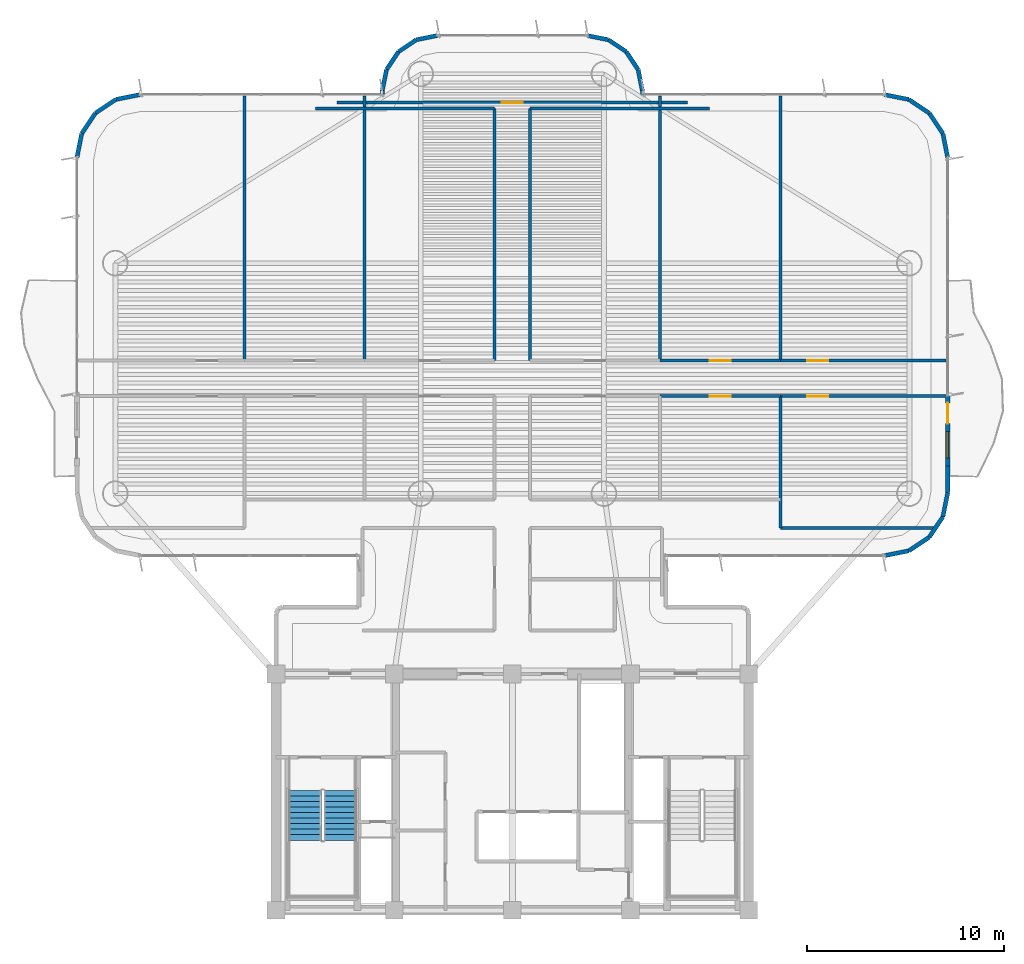
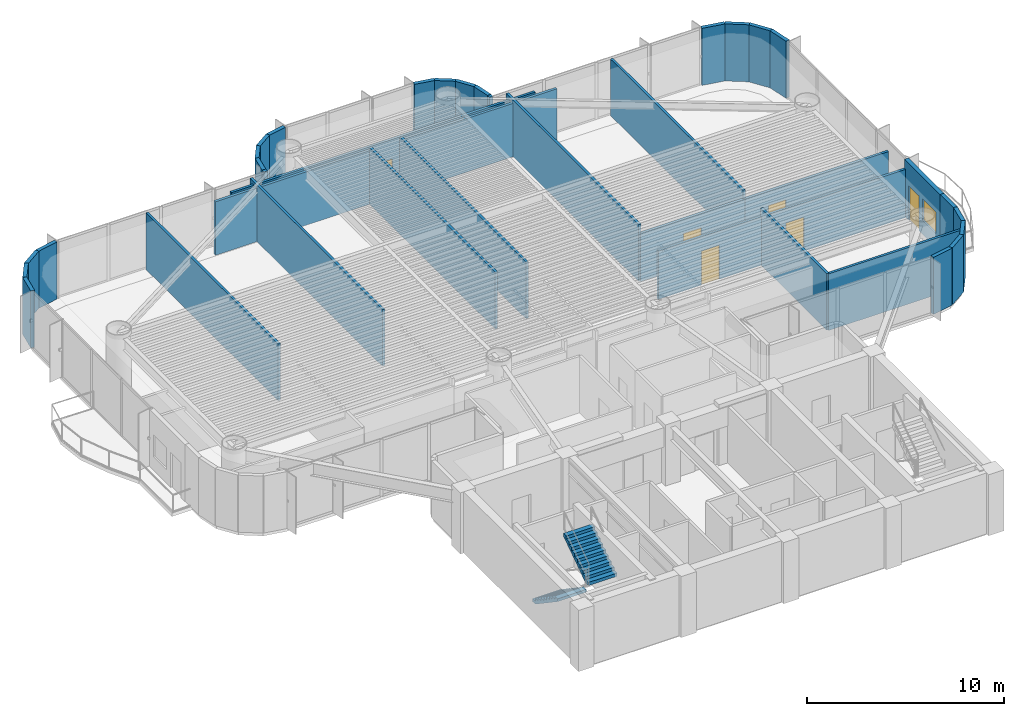
# One storey, part 11 of 16: 39 walls, 6 doors, 2 stair flights, 1 window, 7 openings, 1 element without a shape of its own.
"""IFC4 building model written with IfcOpenShell, lengths in metres."""

from ifc_helpers import new_model, si_unit, direction, frame, frame_2d, origin, origin_2d, place, context, subcontext, project, spatial, polyline, rectangle, outline, extrude, source, transform, mapped, material, layer, layer_set, type_object, element, fill, aggregate, save


model = new_model("IFC4")

# Units and contexts
model_context = context("Model", 3, precision=1e-05, world=origin(), true_north=direction((0.0, 1.0)))
body_context = subcontext(model_context, "Body", "Model", "MODEL_VIEW")
ifc_project = project(units=[si_unit("LENGTHUNIT", "METRE"), si_unit("AREAUNIT", "SQUARE_METRE"), si_unit("VOLUMEUNIT", "CUBIC_METRE"), si_unit("PLANEANGLEUNIT", "RADIAN"), si_unit("MASSUNIT", "GRAM", prefix="KILO")], contexts=[model_context])

# Site, building, storey
site_placement = place(None, origin())
site = spatial("IfcSite", under=ifc_project, at=site_placement, CompositionType="ELEMENT")
building_placement = place(site_placement, origin())
building = spatial("IfcBuilding", under=site, at=building_placement, Name="Brelvock Crest Care Tower", CompositionType="ELEMENT")
storey_placement = place(building_placement, frame((0.0, 0.0, 112.5)))
storey = spatial("IfcBuildingStorey", under=building, at=storey_placement, Name="L28", CompositionType="ELEMENT", Elevation=112.5)

# Wall, openings, door, window
ifc_material_1 = material(Name="Precast concrete N40 (40 MPa)", Category="concrete")
ifc_layer_1 = layer(ifc_material_1, 0.239990234375, Name="WL-EX1")
ifc_layer_set_1 = layer_set([ifc_layer_1], Name="Precast concrete N40 (40 MPa)")
wall_type_1 = type_object("IfcWallType", Name="WL-EX1", PredefinedType="SOLIDWALL", material=ifc_layer_set_1)
wall_1_placement = place(storey_placement, frame((58.10009765625, 32.14990234375, 0.0), z_axis=(0.0, 0.0, 1.0), x_axis=(0.0, -1.0, 0.0)))
wall_1 = element("IfcWall", 1, at=wall_1_placement, inside=storey, type_object=wall_type_1, Name="L28 Exterior Spandrel Wall WL-BAL-L28-E", PredefinedType="SOLIDWALL", context=body_context, shape_type="SweptSolid", body=[
    extrude(rectangle(XDim=3.599853515625, YDim=0.239990234375, at=frame_2d((1.7998046875, 0.0))), origin(), (0.0, 0.0, 1.0), 3.530029296875),
])
opening_1_placement = place(wall_1_placement, frame((0.39990234375, 0.0, 0.0)))
opening_1 = element("IfcOpeningElement", 2, at=opening_1_placement, cuts=wall_1, Name="Opening BD-1", PredefinedType="OPENING", context=body_context, shape_type="SweptSolid", body=[
    extrude(rectangle(XDim=1.050048828125, YDim=2.14990234375, at=origin_2d()), frame((0.52490234375, 0.1298828125, 1.074951171875), z_axis=(0.0, -1.0, 0.0), x_axis=(1.0, 0.0, 0.0)), (0.0, 0.0, 1.0), 0.260009765625),
])
opening_2_placement = place(wall_1_placement, frame((1.85009765625, 0.0, 0.85009765625)))
opening_2 = element("IfcOpeningElement", 3, at=opening_2_placement, cuts=wall_1, Name="Opening W-01", PredefinedType="OPENING", context=body_context, shape_type="SweptSolid", body=[
    extrude(rectangle(XDim=1.35009765625, YDim=1.35009765625, at=origin_2d()), frame((0.675048828125, 0.1298828125, 0.675048828125), z_axis=(0.0, -1.0, 0.0), x_axis=(1.0, 0.0, 0.0)), (0.0, 0.0, 1.0), 0.260009765625),
])
ifc_material_2 = material(Name="Dark Glass Double Glazed Low-E", Category="glass")
door_type_1 = type_object("IfcDoorType", Name="DR-BAL1", OperationType="NOTDEFINED", PredefinedType="DOOR", material=ifc_material_2)
shared_shape_1 = source(origin(), body_context, "Body", "SweptSolid", [
    extrude(rectangle(XDim=1.050048828125, YDim=2.14990234375, at=origin_2d()), frame((0.52490234375, 0.02490234375, 1.074951171875), z_axis=(0.0, -1.0, 0.0), x_axis=(1.0, 0.0, 0.0)), (0.0, 0.0, 1.0), 0.050048828125),
])
door_1_placement = place(opening_1_placement, origin())
door_1 = element("IfcDoor", 4, at=door_1_placement, inside=storey, type_object=door_type_1, Name="L28 E Wave Balcony Glazed Door", OperationType="SINGLE_SWING_RIGHT", OverallHeight=2.14990234375, OverallWidth=1.050048828125, PredefinedType="DOOR", context=body_context, shape_type="MappedRepresentation", body=[
    mapped(shared_shape_1, transform((0.0, 0.0, 0.0), x_axis=(1.0, 0.0, 0.0), y_axis=(0.0, 1.0, 0.0), z_axis=(0.0, 0.0, 1.0), scale=1.0)),
])
fill(opening_1, door_1)
window_type = type_object("IfcWindowType", Name="WN-EX1", PartitioningType="SINGLE_PANEL", PredefinedType="WINDOW", material=ifc_material_2)
shared_shape_2 = source(origin(), body_context, "Body", "SweptSolid", [
    extrude(rectangle(XDim=1.35009765625, YDim=1.35009765625, at=origin_2d()), frame((0.675048828125, 0.030029296875, 0.675048828125), z_axis=(0.0, -1.0, 0.0), x_axis=(1.0, 0.0, 0.0)), (0.0, 0.0, 1.0), 0.06005859375),
])
window_placement = place(opening_2_placement, origin())
window = element("IfcWindow", 5, at=window_placement, inside=storey, type_object=window_type, Name="L28 E Suite Casement Window", OverallHeight=1.35009765625, OverallWidth=1.35009765625, PartitioningType="SINGLE_PANEL", PredefinedType="WINDOW", context=body_context, shape_type="MappedRepresentation", body=[
    mapped(shared_shape_2, transform((0.0, 0.0, 0.0), x_axis=(1.0, 0.0, 0.0), y_axis=(0.0, 1.0, 0.0), z_axis=(0.0, 0.0, 1.0), scale=1.0)),
])
fill(opening_2, window)

# Walls
ifc_layer_2 = layer(ifc_material_1, 0.215087890625, Name="WL-EX2")
ifc_layer_set_2 = layer_set([ifc_layer_2], Name="Precast concrete N40 (40 MPa)")
wall_type_2 = type_object("IfcWallType", Name="WL-EX2", PredefinedType="SOLIDWALL", material=ifc_layer_set_2)
for number, where, z_axis, x_axis, name in (
    (6, (13.89990234375, 44.199951171875, 0.0), (0.0, 0.0, 1.0), (0.195138390419, 0.980775717779, 0.0), "L28 Rounded Corner Wall 18"),
    (7, (14.1435546875, 45.424560546875, 0.0), (0.0, 0.0, 1.0), (0.555692485475, 0.831387912822, 0.0), "L28 Rounded Corner Wall 19"),
    (8, (14.83740234375, 46.462646484375, 0.0), (0.0, 0.0, 1.0), (0.831387912822, 0.555692485475, 0.0), "L28 Rounded Corner Wall 20"),
    (9, (15.87548828125, 47.156494140625, 0.0), (0.0, 0.0, 1.0), (0.980813122964, 0.194950295773, 0.0), "L28 Rounded Corner Wall 21"),
):
    element("IfcWall", number, at=place(storey_placement, frame(where, z_axis=z_axis, x_axis=x_axis)), inside=storey, type_object=wall_type_2, Name=name, PredefinedType="SOLIDWALL", context=body_context, shape_type="SweptSolid", body=[
        extrude(rectangle(XDim=1.24853515625, YDim=0.215087890625, at=frame_2d((0.624267578125, 0.0))), origin(), (0.0, 0.0, 1.0), 3.530029296875),
    ])
wall_2_placement = place(storey_placement, frame((29.39990234375, 47.39990234375, 0.0), z_axis=(0.0, 0.0, 1.0), x_axis=(0.0, 1.0, 0.0)))
element("IfcWall", 10, at=wall_2_placement, inside=storey, type_object=wall_type_2, Name="L28 Rounded Corner Wall 23", PredefinedType="SOLIDWALL", context=body_context, shape_type="SweptSolid", body=[
    extrude(rectangle(XDim=0.2001953125, YDim=0.215087890625, at=frame_2d((0.10009765625, 0.0))), origin(), (0.0, 0.0, 1.0), 3.530029296875),
])
wall_3_placement = place(storey_placement, frame((29.39990234375, 47.60009765625, 0.0), z_axis=(0.0, 0.0, 1.0), x_axis=(0.195127417394, 0.980777900945, 0.0)))
element("IfcWall", 11, at=wall_3_placement, inside=storey, type_object=wall_type_2, Name="L28 Rounded Corner Wall 24", PredefinedType="SOLIDWALL", context=body_context, shape_type="SweptSolid", body=[
    extrude(rectangle(XDim=1.09228515625, YDim=0.215087890625, at=frame_2d((0.546142578125, 0.0))), origin(), (0.0, 0.0, 1.0), 3.530029296875),
])
wall_4_placement = place(storey_placement, frame((29.613037109375, 48.67138671875, 0.0), z_axis=(0.0, 0.0, 1.0), x_axis=(0.555679482341, 0.831396603857, 0.0)))
element("IfcWall", 12, at=wall_4_placement, inside=storey, type_object=wall_type_2, Name="L28 Rounded Corner Wall 25", PredefinedType="SOLIDWALL", context=body_context, shape_type="SweptSolid", body=[
    extrude(rectangle(XDim=1.0927734375, YDim=0.215087890625, at=frame_2d((0.54638671875, 0.0))), origin(), (0.0, 0.0, 1.0), 3.530029296875),
])
for number, where, z_axis, x_axis, name in (
    (13, (30.22021484375, 49.579833984375, 0.0), (0.0, 0.0, 1.0), (0.831327592857, 0.555782721353, 0.0), "L28 Rounded Corner Wall 26"),
    (14, (31.12841796875, 50.18701171875, 0.0), (0.0, 0.0, 1.0), (0.980829143587, 0.194869677195, 0.0), "L28 Rounded Corner Wall 27"),
    (15, (39.800048828125, 50.39990234375, 0.0), (0.0, 0.0, 1.0), (0.980829143587, -0.194869677195, 0.0), "L28 Rounded Corner Wall 29"),
    (16, (40.87158203125, 50.18701171875, 0.0), (0.0, 0.0, 1.0), (0.831327592857, -0.555782721353, 0.0), "L28 Rounded Corner Wall 30"),
):
    element("IfcWall", number, at=place(storey_placement, frame(where, z_axis=z_axis, x_axis=x_axis)), inside=storey, type_object=wall_type_2, Name=name, PredefinedType="SOLIDWALL", context=body_context, shape_type="SweptSolid", body=[
        extrude(rectangle(XDim=1.092529296875, YDim=0.215087890625, at=frame_2d((0.54638671875, 0.0))), origin(), (0.0, 0.0, 1.0), 3.530029296875),
    ])
wall_5_placement = place(storey_placement, frame((41.77978515625, 49.579833984375, 0.0), z_axis=(0.0, 0.0, 1.0), x_axis=(0.555679482341, -0.831396603857, 0.0)))
element("IfcWall", 17, at=wall_5_placement, inside=storey, type_object=wall_type_2, Name="L28 Rounded Corner Wall 31", PredefinedType="SOLIDWALL", context=body_context, shape_type="SweptSolid", body=[
    extrude(rectangle(XDim=1.0927734375, YDim=0.215087890625, at=frame_2d((0.54638671875, 0.0))), origin(), (0.0, 0.0, 1.0), 3.530029296875),
])
wall_6_placement = place(storey_placement, frame((42.386962890625, 48.67138671875, 0.0), z_axis=(0.0, 0.0, 1.0), x_axis=(0.195127417394, -0.980777900945, 0.0)))
element("IfcWall", 18, at=wall_6_placement, inside=storey, type_object=wall_type_2, Name="L28 Rounded Corner Wall 32", PredefinedType="SOLIDWALL", context=body_context, shape_type="SweptSolid", body=[
    extrude(rectangle(XDim=1.09228515625, YDim=0.215087890625, at=frame_2d((0.546142578125, 0.0))), origin(), (0.0, 0.0, 1.0), 3.530029296875),
])
wall_7_placement = place(storey_placement, frame((42.60009765625, 47.60009765625, 0.0), z_axis=(0.0, 0.0, 1.0), x_axis=(0.0, -1.0, 0.0)))
element("IfcWall", 19, at=wall_7_placement, inside=storey, type_object=wall_type_2, Name="L28 Rounded Corner Wall 33", PredefinedType="SOLIDWALL", context=body_context, shape_type="SweptSolid", body=[
    extrude(rectangle(XDim=0.2001953125, YDim=0.215087890625, at=frame_2d((0.10009765625, 0.0))), origin(), (0.0, 0.0, 1.0), 3.530029296875),
])
for number, where, z_axis, x_axis, name in (
    (20, (54.89990234375, 47.39990234375, 0.0), (0.0, 0.0, 1.0), (0.980813122964, -0.194950295773, 0.0), "L28 Rounded Corner Wall 35"),
    (21, (56.12451171875, 47.156494140625, 0.0), (0.0, 0.0, 1.0), (0.831387912822, -0.555692485475, 0.0), "L28 Rounded Corner Wall 36"),
    (22, (57.16259765625, 46.462646484375, 0.0), (0.0, 0.0, 1.0), (0.555692485475, -0.831387912822, 0.0), "L28 Rounded Corner Wall 37"),
    (23, (57.8564453125, 45.424560546875, 0.0), (0.0, 0.0, 1.0), (0.195138390419, -0.980775717779, 0.0), "L28 Rounded Corner Wall 38"),
):
    element("IfcWall", number, at=place(storey_placement, frame(where, z_axis=z_axis, x_axis=x_axis)), inside=storey, type_object=wall_type_2, Name=name, PredefinedType="SOLIDWALL", context=body_context, shape_type="SweptSolid", body=[
        extrude(rectangle(XDim=1.24853515625, YDim=0.215087890625, at=frame_2d((0.624267578125, 0.0))), origin(), (0.0, 0.0, 1.0), 3.530029296875),
    ])
wall_8_placement = place(storey_placement, frame((58.10009765625, 28.550048828125, 0.0), z_axis=(0.0, 0.0, 1.0), x_axis=(0.0, -1.0, 0.0)))
element("IfcWall", 24, at=wall_8_placement, inside=storey, type_object=wall_type_2, Name="L28 Exterior Spandrel Pier E39B", PredefinedType="SOLIDWALL", context=body_context, shape_type="SweptSolid", body=[
    extrude(rectangle(XDim=1.35009765625, YDim=0.215087890625, at=frame_2d((0.675048828125, 0.0))), origin(), (0.0, 0.0, 1.0), 3.530029296875),
])
for number, where, z_axis, x_axis, name in (
    (25, (58.10009765625, 27.199951171875, 0.0), (0.0, 0.0, 1.0), (-0.195138390419, -0.980775717779, 0.0), "L28 Rounded Corner Wall 40"),
    (26, (57.8564453125, 25.975341796875, 0.0), (0.0, 0.0, 1.0), (-0.555692485475, -0.831387912822, 0.0), "L28 Rounded Corner Wall 41"),
    (27, (57.16259765625, 24.937255859375, 0.0), (0.0, 0.0, 1.0), (-0.831478245117, -0.555557312883, 0.0), "L28 Rounded Corner Wall 42"),
    (28, (56.12451171875, 24.24365234375, 0.0), (0.0, 0.0, 1.0), (-0.980775717779, -0.195138390419, 0.0), "L28 Rounded Corner Wall 43"),
):
    element("IfcWall", number, at=place(storey_placement, frame(where, z_axis=z_axis, x_axis=x_axis)), inside=storey, type_object=wall_type_2, Name=name, PredefinedType="SOLIDWALL", context=body_context, shape_type="SweptSolid", body=[
        extrude(rectangle(XDim=1.24853515625, YDim=0.215087890625, at=frame_2d((0.624267578125, 0.0))), origin(), (0.0, 0.0, 1.0), 3.530029296875),
    ])
ifc_material_3 = material(Name="Masonry Blockwork Acoustic Partition", Category="masonry")
ifc_layer_3 = layer(ifc_material_3, 0.14990234375, Name="WL-INT1")
ifc_layer_set_3 = layer_set([ifc_layer_3], Name="Masonry Blockwork Acoustic Partition")
wall_type_3 = type_object("IfcWallType", Name="WL-INT1", PredefinedType="PARTITIONING", material=ifc_layer_set_3)
wall_9_placement = place(storey_placement, frame((49.60009765625, 25.39990234375, 0.0), z_axis=(0.0, 0.0, 1.0), x_axis=(1.0, 0.0, 0.0)))
element("IfcWall", 29, at=wall_9_placement, inside=storey, type_object=wall_type_3, Name="L28 Interior Wall WL-BX-L28-SE-S", PredefinedType="PARTITIONING", context=body_context, shape_type="SweptSolid", body=[
    extrude(rectangle(XDim=7.775634765625, YDim=0.14990234375, at=frame_2d((3.8876953125, 0.0))), origin(), (0.0, 0.0, 1.0), 3.5),
])

# Wall, opening, door
wall_10_placement = place(storey_placement, frame((43.5, 32.10009765625, 0.0), z_axis=(0.0, 0.0, 1.0), x_axis=(1.0, 0.0, 0.0)))
wall_10 = element("IfcWall", 30, at=wall_10_placement, inside=storey, type_object=wall_type_3, Name="L28 Interior Wall WL-RM-L28-ISEB", PredefinedType="PARTITIONING", context=body_context, shape_type="SweptSolid", body=[
    extrude(rectangle(XDim=6.10009765625, YDim=0.14990234375, at=frame_2d((3.050048828125, 0.0))), origin(), (0.0, 0.0, 1.0), 2.98193359375),
])
opening_3_placement = place(wall_10_placement, frame((2.52490234375, 0.0, 0.0)))
opening_3 = element("IfcOpeningElement", 31, at=opening_3_placement, cuts=wall_10, Name="Opening CLD-1", PredefinedType="OPENING", context=body_context, shape_type="SweptSolid", body=[
    extrude(rectangle(XDim=1.050048828125, YDim=2.10009765625, at=origin_2d()), frame((0.52490234375, 0.0849609375, 1.050048828125), z_axis=(0.0, -1.0, 0.0), x_axis=(1.0, 0.0, 0.0)), (0.0, 0.0, 1.0), 0.169921875),
])
ifc_material_4 = material(Name="Engineered Hardwood Timber", Category="wood")
door_type_2 = type_object("IfcDoorType", Name="DR-CLN1", OperationType="NOTDEFINED", PredefinedType="DOOR", material=ifc_material_4)
shared_shape_3 = source(origin(), body_context, "Body", "SweptSolid", [
    extrude(rectangle(XDim=1.050048828125, YDim=2.10009765625, at=origin_2d()), frame((0.52490234375, 0.02490234375, 1.050048828125), z_axis=(0.0, -1.0, 0.0), x_axis=(1.0, 0.0, 0.0)), (0.0, 0.0, 1.0), 0.050048828125),
])
door_2_placement = place(opening_3_placement, origin())
door_2 = element("IfcDoor", 32, at=door_2_placement, inside=storey, type_object=door_type_2, Name="L28 Geriatric Hydro-Consultation Door ISEB", OperationType="SINGLE_SWING_LEFT", OverallHeight=2.10009765625, OverallWidth=1.050048828125, PredefinedType="DOOR", context=body_context, shape_type="MappedRepresentation", body=[
    mapped(shared_shape_3, transform((0.0, 0.0, 0.0), x_axis=(1.0, 0.0, 0.0), y_axis=(0.0, 1.0, 0.0), z_axis=(0.0, 0.0, 1.0), scale=1.0)),
])
fill(opening_3, door_2)

wall_11_placement = place(storey_placement, frame((49.60009765625, 32.10009765625, 0.0), z_axis=(0.0, 0.0, 1.0), x_axis=(1.0, 0.0, 0.0)))
wall_11 = element("IfcWall", 33, at=wall_11_placement, inside=storey, type_object=wall_type_3, Name="L28 Interior Wall WL-RM-L28-SE", PredefinedType="PARTITIONING", context=body_context, shape_type="SweptSolid", body=[
    extrude(rectangle(XDim=8.419921875, YDim=0.14990234375, at=frame_2d((4.2099609375, 0.0))), origin(), (0.0, 0.0, 1.0), 2.98193359375),
])
opening_4_placement = place(wall_11_placement, frame((1.375, 0.0, 0.0)))
opening_4 = element("IfcOpeningElement", 34, at=opening_4_placement, cuts=wall_11, Name="Opening CLD-1", PredefinedType="OPENING", context=body_context, shape_type="SweptSolid", body=[
    extrude(rectangle(XDim=1.050048828125, YDim=2.10009765625, at=origin_2d()), frame((0.52490234375, 0.0849609375, 1.050048828125), z_axis=(0.0, -1.0, 0.0), x_axis=(1.0, 0.0, 0.0)), (0.0, 0.0, 1.0), 0.169921875),
])
door_3_placement = place(opening_4_placement, origin())
door_3 = element("IfcDoor", 35, at=door_3_placement, inside=storey, type_object=door_type_2, Name="L28 Rehabilitation Therapy Suite Door SE", OperationType="SINGLE_SWING_LEFT", OverallHeight=2.10009765625, OverallWidth=1.050048828125, PredefinedType="DOOR", context=body_context, shape_type="MappedRepresentation", body=[
    mapped(shared_shape_3, transform((0.0, 0.0, 0.0), x_axis=(1.0, 0.0, 0.0), y_axis=(0.0, 1.0, 0.0), z_axis=(0.0, 0.0, 1.0), scale=1.0)),
])
fill(opening_4, door_3)

wall_12_placement = place(storey_placement, frame((43.5, 33.89990234375, 0.0), z_axis=(0.0, 0.0, 1.0), x_axis=(1.0, 0.0, 0.0)))
wall_12 = element("IfcWall", 36, at=wall_12_placement, inside=storey, type_object=wall_type_3, Name="L28 Interior Wall WL-RM-L28-INEB", PredefinedType="PARTITIONING", context=body_context, shape_type="SweptSolid", body=[
    extrude(rectangle(XDim=6.10009765625, YDim=0.14990234375, at=frame_2d((3.050048828125, 0.0))), origin(), (0.0, 0.0, 1.0), 2.98193359375),
])
opening_5_placement = place(wall_12_placement, frame((2.52490234375, 0.0, 0.0)))
opening_5 = element("IfcOpeningElement", 37, at=opening_5_placement, cuts=wall_12, Name="Opening CLD-1", PredefinedType="OPENING", context=body_context, shape_type="SweptSolid", body=[
    extrude(rectangle(XDim=1.050048828125, YDim=2.10009765625, at=origin_2d()), frame((0.52490234375, 0.0849609375, 1.050048828125), z_axis=(0.0, -1.0, 0.0), x_axis=(1.0, 0.0, 0.0)), (0.0, 0.0, 1.0), 0.169921875),
])
door_4_placement = place(opening_5_placement, origin())
door_4 = element("IfcDoor", 38, at=door_4_placement, inside=storey, type_object=door_type_2, Name="L28 Geriatric Hydro-Consultation Door INEB", OperationType="SINGLE_SWING_LEFT", OverallHeight=2.10009765625, OverallWidth=1.050048828125, PredefinedType="DOOR", context=body_context, shape_type="MappedRepresentation", body=[
    mapped(shared_shape_3, transform((0.0, 0.0, 0.0), x_axis=(1.0, 0.0, 0.0), y_axis=(0.0, 1.0, 0.0), z_axis=(0.0, 0.0, 1.0), scale=1.0)),
])
fill(opening_5, door_4)

wall_13_placement = place(storey_placement, frame((49.60009765625, 33.89990234375, 0.0), z_axis=(0.0, 0.0, 1.0), x_axis=(1.0, 0.0, 0.0)))
wall_13 = element("IfcWall", 39, at=wall_13_placement, inside=storey, type_object=wall_type_3, Name="L28 Interior Wall WL-RM-L28-NE", PredefinedType="PARTITIONING", context=body_context, shape_type="SweptSolid", body=[
    extrude(rectangle(XDim=8.419921875, YDim=0.14990234375, at=frame_2d((4.2099609375, 0.0))), origin(), (0.0, 0.0, 1.0), 2.98193359375),
])
opening_6_placement = place(wall_13_placement, frame((1.375, 0.0, 0.0)))
opening_6 = element("IfcOpeningElement", 40, at=opening_6_placement, cuts=wall_13, Name="Opening CLD-1", PredefinedType="OPENING", context=body_context, shape_type="SweptSolid", body=[
    extrude(rectangle(XDim=1.050048828125, YDim=2.10009765625, at=origin_2d()), frame((0.52490234375, 0.0849609375, 1.050048828125), z_axis=(0.0, -1.0, 0.0), x_axis=(1.0, 0.0, 0.0)), (0.0, 0.0, 1.0), 0.169921875),
])
door_5_placement = place(opening_6_placement, origin())
door_5 = element("IfcDoor", 41, at=door_5_placement, inside=storey, type_object=door_type_2, Name="L28 Rehabilitation Therapy Suite Door NE", OperationType="SINGLE_SWING_LEFT", OverallHeight=2.10009765625, OverallWidth=1.050048828125, PredefinedType="DOOR", context=body_context, shape_type="MappedRepresentation", body=[
    mapped(shared_shape_3, transform((0.0, 0.0, 0.0), x_axis=(1.0, 0.0, 0.0), y_axis=(0.0, 1.0, 0.0), z_axis=(0.0, 0.0, 1.0), scale=1.0)),
])
fill(opening_6, door_5)

# Walls
for number, where, z_axis, x_axis, name in (
    (42, (26.0, 46.699951171875, 0.0), (0.0, 0.0, 1.0), (1.0, 0.0, 0.0), "L28 Interior Wall WL-BX-L28-INWB-N"),
    (43, (36.89990234375, 46.699951171875, 0.0), (0.0, 0.0, 1.0), (1.0, 0.0, 0.0), "L28 Interior Wall WL-BX-L28-INEA-N"),
):
    element("IfcWall", number, at=place(storey_placement, frame(where, z_axis=z_axis, x_axis=x_axis)), inside=storey, type_object=wall_type_3, Name=name, PredefinedType="PARTITIONING", context=body_context, shape_type="SweptSolid", body=[
        extrude(rectangle(XDim=9.10009765625, YDim=0.14990234375, at=frame_2d((4.550048828125, 0.0))), origin(), (0.0, 0.0, 1.0), 3.30810546875),
    ])

# Wall, opening, door
wall_14_placement = place(storey_placement, frame((27.10009765625, 47.0, 0.0), z_axis=(0.0, 0.0, 1.0), x_axis=(1.0, 0.0, 0.0)))
wall_14 = element("IfcWall", 44, at=wall_14_placement, inside=storey, type_object=wall_type_3, Name="L28 Interior Wall WL-RM-L28-NHUB", PredefinedType="PARTITIONING", context=body_context, shape_type="SweptSolid", body=[
    extrude(rectangle(XDim=17.7998046875, YDim=0.14990234375, at=frame_2d((8.89990234375, 0.0))), origin(), (0.0, 0.0, 1.0), 3.30810546875),
])
opening_7_placement = place(wall_14_placement, frame((8.375, 0.0, 0.0)))
opening_7 = element("IfcOpeningElement", 45, at=opening_7_placement, cuts=wall_14, Name="Opening CLD-1", PredefinedType="OPENING", context=body_context, shape_type="SweptSolid", body=[
    extrude(rectangle(XDim=1.050048828125, YDim=2.10009765625, at=origin_2d()), frame((0.52490234375, 0.0849609375, 1.050048828125), z_axis=(0.0, -1.0, 0.0), x_axis=(1.0, 0.0, 0.0)), (0.0, 0.0, 1.0), 0.169921875),
])
door_6_placement = place(opening_7_placement, origin())
door_6 = element("IfcDoor", 46, at=door_6_placement, inside=storey, type_object=door_type_2, Name="L28 North Panorama Sunroom Door NHUB", OperationType="SINGLE_SWING_LEFT", OverallHeight=2.10009765625, OverallWidth=1.050048828125, PredefinedType="DOOR", context=body_context, shape_type="MappedRepresentation", body=[
    mapped(shared_shape_3, transform((0.0, 0.0, 0.0), x_axis=(1.0, 0.0, 0.0), y_axis=(0.0, 1.0, 0.0), z_axis=(0.0, 0.0, 1.0), scale=1.0)),
])
fill(opening_7, door_6)

# Walls
wall_15_placement = place(storey_placement, frame((22.39990234375, 33.89990234375, 0.0), z_axis=(0.0, 0.0, 1.0), x_axis=(0.0, 1.0, 0.0)))
element("IfcWall", 47, at=wall_15_placement, inside=storey, type_object=wall_type_3, Name="L28 Interior Wall WL-BX-L28-INWA-W", PredefinedType="PARTITIONING", context=body_context, shape_type="SweptSolid", body=[
    extrude(rectangle(XDim=13.4208984375, YDim=0.14990234375, at=frame_2d((6.71044921875, 0.0))), origin(), (0.0, 0.0, 1.0), 3.5),
])
wall_16_placement = place(storey_placement, frame((28.5, 33.89990234375, 0.0), z_axis=(0.0, 0.0, 1.0), x_axis=(0.0, 1.0, 0.0)))
element("IfcWall", 48, at=wall_16_placement, inside=storey, type_object=wall_type_3, Name="L28 Interior Wall WL-BX-L28-INWA-E", PredefinedType="PARTITIONING", context=body_context, shape_type="SweptSolid", body=[
    extrude(rectangle(XDim=13.42138671875, YDim=0.14990234375, at=frame_2d((6.710693359375, 0.0))), origin(), (0.0, 0.0, 1.0), 3.5),
])
for number, where, z_axis, x_axis, name in (
    (49, (35.10009765625, 33.89990234375, 0.0), (0.0, 0.0, 1.0), (0.0, 1.0, 0.0), "L28 Interior Wall WL-BX-L28-INWB-E"),
    (50, (36.89990234375, 33.89990234375, 0.0), (0.0, 0.0, 1.0), (0.0, 1.0, 0.0), "L28 Interior Wall WL-BX-L28-INEA-W"),
):
    element("IfcWall", number, at=place(storey_placement, frame(where, z_axis=z_axis, x_axis=x_axis)), inside=storey, type_object=wall_type_3, Name=name, PredefinedType="PARTITIONING", context=body_context, shape_type="SweptSolid", body=[
        extrude(rectangle(XDim=12.800048828125, YDim=0.14990234375, at=frame_2d((6.39990234375, 0.0))), origin(), (0.0, 0.0, 1.0), 3.5),
    ])
wall_17_placement = place(storey_placement, frame((43.5, 33.89990234375, 0.0), z_axis=(0.0, 0.0, 1.0), x_axis=(0.0, 1.0, 0.0)))
element("IfcWall", 51, at=wall_17_placement, inside=storey, type_object=wall_type_3, Name="L28 Interior Wall WL-BX-L28-INEA-E", PredefinedType="PARTITIONING", context=body_context, shape_type="SweptSolid", body=[
    extrude(rectangle(XDim=13.42138671875, YDim=0.14990234375, at=frame_2d((6.710693359375, 0.0))), origin(), (0.0, 0.0, 1.0), 3.5),
])
wall_18_placement = place(storey_placement, frame((49.60009765625, 25.39990234375, 0.0), z_axis=(0.0, 0.0, 1.0), x_axis=(0.0, 1.0, 0.0)))
element("IfcWall", 52, at=wall_18_placement, inside=storey, type_object=wall_type_3, Name="L28 Interior Wall WL-BX-L28-SE-W", PredefinedType="PARTITIONING", context=body_context, shape_type="SweptSolid", body=[
    extrude(rectangle(XDim=6.7001953125, YDim=0.14990234375, at=frame_2d((3.35009765625, 0.0))), origin(), (0.0, 0.0, 1.0), 3.5),
])
wall_19_placement = place(storey_placement, frame((49.60009765625, 33.89990234375, 0.0), z_axis=(0.0, 0.0, 1.0), x_axis=(0.0, 1.0, 0.0)))
element("IfcWall", 53, at=wall_19_placement, inside=storey, type_object=wall_type_3, Name="L28 Interior Wall WL-BX-L28-INEB-E", PredefinedType="PARTITIONING", context=body_context, shape_type="SweptSolid", body=[
    extrude(rectangle(XDim=13.4208984375, YDim=0.14990234375, at=frame_2d((6.71044921875, 0.0))), origin(), (0.0, 0.0, 1.0), 3.5),
])

# Stair, stair flights
ifc_material_5 = material(Name="Concrete N40 (40 MPa)", Category="concrete")
stair_type = type_object("IfcStairType", Name="ST-CORE1", PredefinedType="HALF_TURN_STAIR", material=ifc_material_5)
stair_placement = place(storey_placement, origin())
stair = element("IfcStair", 54, at=stair_placement, inside=storey, type_object=stair_type, Name="L28 Fire-Isolated Core Stair ST-1", PredefinedType="HALF_TURN_STAIR")
stair_flight_type = type_object("IfcStairFlightType", Name="STF-1", PredefinedType="STRAIGHT", material=ifc_material_5)
stair_flight_1_placement = place(storey_placement, frame((25.469970703125, 12.080078125, 0.0), z_axis=(0.0, 0.0, 1.0), x_axis=(0.0, -1.0, 0.0)))
stair_flight_1 = element("IfcStairFlight", 55, at=stair_flight_1_placement, type_object=stair_flight_type, Name="ST-1 flight 1", NumberOfRisers=10, NumberOfTreads=9, PredefinedType="STRAIGHT", RiserHeight=0.189, TreadLength=0.28, context=body_context, shape_type="SweptSolid", body=[
    extrude(outline(polyline([(-0.00390625, -0.014892578125), (-0.00390625, -0.0078125), (-0.00390625, -0.00048828125), (-0.00390625, 0.0068359375), (-0.00390625, 0.01416015625), (-0.00390625, 0.021484375), (-0.00390625, 0.02880859375), (-0.00390625, 0.035888671875), (-0.00390625, 0.043212890625), (-0.00390625, 0.050537109375), (-0.00390625, 0.057861328125), (-0.00390625, 0.065185546875), (-0.00390625, 0.072509765625), (-0.00390625, 0.07958984375), (-0.00390625, 0.0869140625), (-0.00390625, 0.09423828125), (-0.00390625, 0.1015625), (-0.00390625, 0.10888671875), (-0.00390625, 0.1162109375), (-0.00390625, 0.12353515625), (-0.00390625, 0.130615234375), (-0.00390625, 0.137939453125), (-0.00390625, 0.145263671875), (-0.00390625, 0.152587890625), (-0.00390625, 0.159912109375), (-0.00390625, 0.167236328125), (-0.00390625, 0.17431640625), (-0.00390625, 0.181640625), (-0.00390625, 0.18896484375), (0.0, 0.18896484375), (0.280029296875, 0.18896484375), (0.280029296875, 0.3779296875), (0.56005859375, 0.3779296875), (0.56005859375, 0.56689453125), (0.840087890625, 0.56689453125), (0.840087890625, 0.756103515625), (1.1201171875, 0.756103515625), (1.1201171875, 0.945068359375), (1.39990234375, 0.945068359375), (1.39990234375, 1.134033203125), (1.679931640625, 1.134033203125), (1.679931640625, 1.322998046875), (1.9599609375, 1.322998046875), (1.9599609375, 1.511962890625), (2.239990234375, 1.511962890625), (2.239990234375, 1.700927734375), (2.52001953125, 1.700927734375), (2.52392578125, 1.700927734375), (2.523681640625, 1.70068359375), (2.52392578125, 1.700439453125), (2.523681640625, 1.699951171875), (2.52392578125, 1.69970703125), (2.523681640625, 1.699462890625), (2.52392578125, 1.698974609375), (2.523681640625, 1.69873046875), (2.52392578125, 1.698486328125), (2.523681640625, 1.697998046875), (2.52392578125, 1.69775390625), (2.523681640625, 1.697509765625), (2.52392578125, 1.697021484375), (2.523681640625, 1.69677734375), (2.52392578125, 1.696533203125), (2.523681640625, 1.6962890625), (2.52392578125, 1.69580078125), (2.523681640625, 1.695556640625), (2.52392578125, 1.6953125), (2.523681640625, 1.69482421875), (2.52392578125, 1.694580078125), (2.523681640625, 1.6943359375), (2.52392578125, 1.69384765625), (2.523681640625, 1.693603515625), (2.52392578125, 1.693359375), (2.523681640625, 1.69287109375), (2.52392578125, 1.692626953125), (2.523681640625, 1.6923828125), (2.52392578125, 1.69189453125), (2.52001953125, 1.520263671875), (0.267822265625, 0.0), (0.0, 0.0), (0.0, -0.014892578125), (-0.00390625, -0.014892578125)])), frame((0.0, 0.83984375, 0.0), z_axis=(0.0, -1.0, 0.0), x_axis=(1.0, 0.0, 0.0)), (0.0, 0.0, 1.0), 1.679931640625),
])
stair_flight_2_placement = place(storey_placement, frame((27.27001953125, 9.56005859375, 1.889892578125), z_axis=(0.0, 0.0, 1.0), x_axis=(0.0, 1.0, 0.0)))
stair_flight_2 = element("IfcStairFlight", 56, at=stair_flight_2_placement, type_object=stair_flight_type, Name="ST-1 flight 2", NumberOfRisers=10, NumberOfTreads=9, PredefinedType="STRAIGHT", RiserHeight=0.189, TreadLength=0.28, context=body_context, shape_type="SweptSolid", body=[
    extrude(outline(polyline([(-0.00390625, -0.014892578125), (-0.00390625, -0.0078125), (-0.00390625, -0.00048828125), (-0.00390625, 0.0068359375), (-0.00390625, 0.01416015625), (-0.00390625, 0.021484375), (-0.00390625, 0.02880859375), (-0.00390625, 0.035888671875), (-0.00390625, 0.043212890625), (-0.00390625, 0.050537109375), (-0.00390625, 0.057861328125), (-0.00390625, 0.065185546875), (-0.00390625, 0.072509765625), (-0.00390625, 0.07958984375), (-0.00390625, 0.0869140625), (-0.00390625, 0.09423828125), (-0.00390625, 0.1015625), (-0.00390625, 0.10888671875), (-0.00390625, 0.1162109375), (-0.00390625, 0.12353515625), (-0.00390625, 0.130615234375), (-0.00390625, 0.137939453125), (-0.00390625, 0.145263671875), (-0.00390625, 0.152587890625), (-0.00390625, 0.159912109375), (-0.00390625, 0.167236328125), (-0.00390625, 0.17431640625), (-0.00390625, 0.181640625), (-0.00390625, 0.18896484375), (0.0, 0.18896484375), (0.280029296875, 0.18896484375), (0.280029296875, 0.3779296875), (0.56005859375, 0.3779296875), (0.56005859375, 0.56689453125), (0.840087890625, 0.56689453125), (0.840087890625, 0.756103515625), (1.1201171875, 0.756103515625), (1.1201171875, 0.945068359375), (1.39990234375, 0.945068359375), (1.39990234375, 1.134033203125), (1.679931640625, 1.134033203125), (1.679931640625, 1.322998046875), (1.9599609375, 1.322998046875), (1.9599609375, 1.511962890625), (2.239990234375, 1.511962890625), (2.239990234375, 1.700927734375), (2.52001953125, 1.700927734375), (2.52392578125, 1.700927734375), (2.523681640625, 1.70068359375), (2.52392578125, 1.700439453125), (2.523681640625, 1.699951171875), (2.52392578125, 1.69970703125), (2.523681640625, 1.699462890625), (2.52392578125, 1.698974609375), (2.523681640625, 1.69873046875), (2.52392578125, 1.698486328125), (2.523681640625, 1.697998046875), (2.52392578125, 1.69775390625), (2.523681640625, 1.697509765625), (2.52392578125, 1.697021484375), (2.523681640625, 1.69677734375), (2.52392578125, 1.696533203125), (2.523681640625, 1.6962890625), (2.52392578125, 1.69580078125), (2.523681640625, 1.695556640625), (2.52392578125, 1.6953125), (2.523681640625, 1.69482421875), (2.52392578125, 1.694580078125), (2.523681640625, 1.6943359375), (2.52392578125, 1.69384765625), (2.523681640625, 1.693603515625), (2.52392578125, 1.693359375), (2.523681640625, 1.69287109375), (2.52392578125, 1.692626953125), (2.523681640625, 1.6923828125), (2.52392578125, 1.69189453125), (2.52001953125, 1.520263671875), (0.267822265625, 0.0), (0.0, 0.0), (0.0, -0.014892578125), (-0.00390625, -0.014892578125)])), frame((0.0, 0.83984375, 0.0), z_axis=(0.0, -1.0, 0.0), x_axis=(1.0, 0.0, 0.0)), (0.0, 0.0, 1.0), 1.679931640625),
])
aggregate(stair, [stair_flight_1, stair_flight_2])

save(model, "model.ifc")
